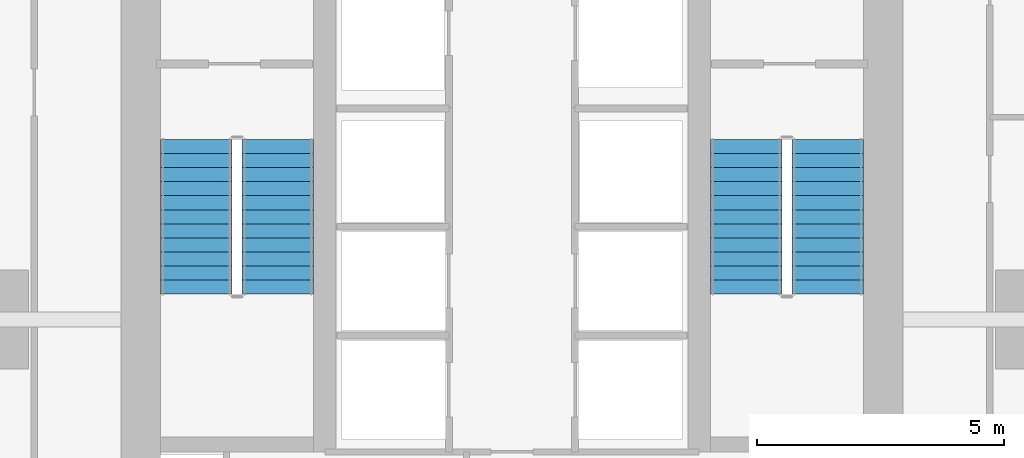
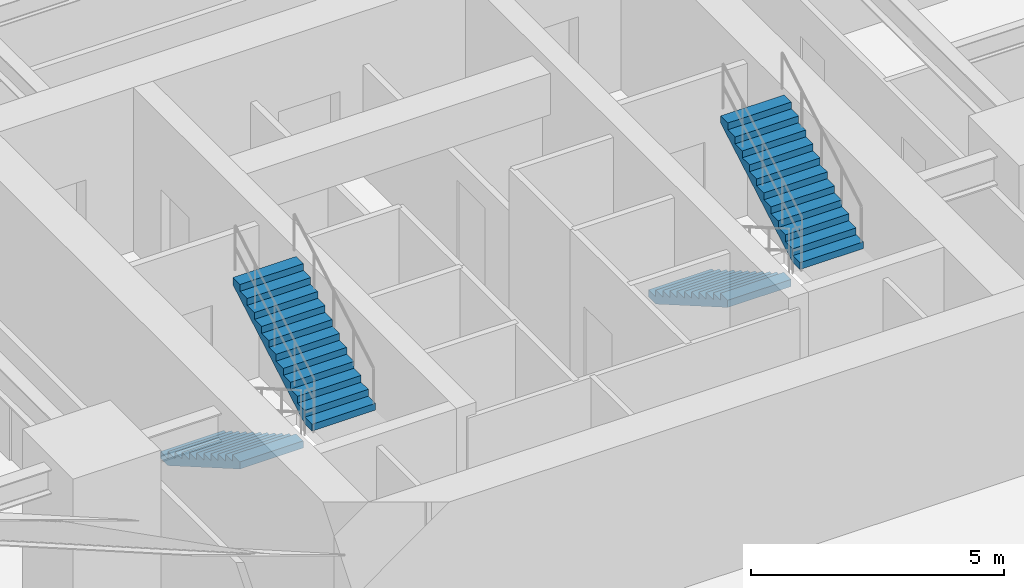
# One storey, part 24 of 26: 4 stair flights, 2 elements without a shape of their own.
"""IFC4 building model written with IfcOpenShell, lengths in metres."""

from ifc_helpers import new_model, si_unit, direction, frame, origin, place, context, subcontext, project, spatial, polyline, outline, extrude, material, type_object, element, aggregate, save


model = new_model("IFC4")

# Units and contexts
model_context = context("Model", 3, precision=1e-05, world=origin(), true_north=direction((0.0, 1.0)))
body_context = subcontext(model_context, "Body", "Model", "MODEL_VIEW")
ifc_project = project(units=[si_unit("LENGTHUNIT", "METRE"), si_unit("AREAUNIT", "SQUARE_METRE"), si_unit("VOLUMEUNIT", "CUBIC_METRE"), si_unit("PLANEANGLEUNIT", "RADIAN"), si_unit("MASSUNIT", "GRAM", prefix="KILO")], contexts=[model_context])

# Site, building, storey
site_placement = place(None, origin())
site = spatial("IfcSite", under=ifc_project, at=site_placement, CompositionType="ELEMENT")
building_placement = place(site_placement, origin())
building = spatial("IfcBuilding", under=site, at=building_placement, Name="Krantzveldt Concourse Tower", CompositionType="ELEMENT")
storey_placement = place(building_placement, frame((0.0, 0.0, 133.5)))
storey = spatial("IfcBuildingStorey", under=building, at=storey_placement, Name="L32", CompositionType="ELEMENT", Elevation=133.5)

# Stair, stair flights
ifc_material = material(Name="Precast concrete C40/50", Category="concrete")
stair_type = type_object("IfcStairType", Name="STR-CORE-DOGLEG", PredefinedType="HALF_TURN_STAIR", material=ifc_material)
stair_1_placement = place(storey_placement, origin())
stair_1 = element("IfcStair", 1, at=stair_1_placement, inside=storey, type_object=stair_type, Name="L32 Protected Escape Stair ST-1", PredefinedType="HALF_TURN_STAIR")
stair_flight_type = type_object("IfcStairFlightType", Name="STF-CORE-1450", PredefinedType="STRAIGHT", material=ifc_material)
stair_flight_1_placement = place(storey_placement, frame((29.60498046875, 19.550048828125, 0.0), z_axis=(0.0, 0.0, 1.0), x_axis=(0.0, -1.0, 0.0)))
stair_flight_1 = element("IfcStairFlight", 2, at=stair_flight_1_placement, type_object=stair_flight_type, Name="ST-1 flight 1", NumberOfRisers=12, NumberOfTreads=11, PredefinedType="STRAIGHT", RiserHeight=0.164583333, TreadLength=0.285, context=body_context, shape_type="SweptSolid", body=[
    extrude(outline(polyline([(0.0, 0.0), (0.0, 0.16455078125), (0.284912109375, 0.16455078125), (0.284912109375, 0.3291015625), (0.570068359375, 0.3291015625), (0.570068359375, 0.49365234375), (0.85498046875, 0.49365234375), (0.85498046875, 0.658447265625), (1.139892578125, 0.658447265625), (1.139892578125, 0.822998046875), (1.425048828125, 0.822998046875), (1.425048828125, 0.987548828125), (1.7099609375, 0.987548828125), (1.7099609375, 1.152099609375), (1.9951171875, 1.152099609375), (1.9951171875, 1.316650390625), (2.280029296875, 1.316650390625), (2.280029296875, 1.481201171875), (2.56494140625, 1.481201171875), (2.56494140625, 1.645751953125), (2.85009765625, 1.645751953125), (2.85009765625, 1.810302734375), (3.135009765625, 1.810302734375), (3.135009765625, 1.97509765625), (3.135009765625, 1.63720703125), (0.2998046875, 0.0), (0.0, 0.0)])), frame((0.0, 0.72509765625, 0.0), z_axis=(0.0, -1.0, 0.0), x_axis=(1.0, 0.0, 0.0)), (0.0, 0.0, 1.0), 1.449951171875),
])
stair_flight_2_placement = place(storey_placement, frame((31.2548828125, 16.4150390625, 1.97509765625), z_axis=(0.0, 0.0, 1.0), x_axis=(0.0, 1.0, 0.0)))
stair_flight_2 = element("IfcStairFlight", 3, at=stair_flight_2_placement, type_object=stair_flight_type, Name="ST-1 flight 2", NumberOfRisers=12, NumberOfTreads=11, PredefinedType="STRAIGHT", RiserHeight=0.164583333, TreadLength=0.285, context=body_context, shape_type="SweptSolid", body=[
    extrude(outline(polyline([(0.0, 0.0), (0.0, 0.16455078125), (0.284912109375, 0.16455078125), (0.284912109375, 0.3291015625), (0.570068359375, 0.3291015625), (0.570068359375, 0.49365234375), (0.85498046875, 0.49365234375), (0.85498046875, 0.658447265625), (1.139892578125, 0.658447265625), (1.139892578125, 0.822998046875), (1.425048828125, 0.822998046875), (1.425048828125, 0.987548828125), (1.7099609375, 0.987548828125), (1.7099609375, 1.152099609375), (1.9951171875, 1.152099609375), (1.9951171875, 1.316650390625), (2.280029296875, 1.316650390625), (2.280029296875, 1.481201171875), (2.56494140625, 1.481201171875), (2.56494140625, 1.645751953125), (2.85009765625, 1.645751953125), (2.85009765625, 1.810302734375), (3.135009765625, 1.810302734375), (3.135009765625, 1.97509765625), (3.135009765625, 1.63720703125), (0.2998046875, 0.0), (0.0, 0.0)])), frame((0.0, 0.72509765625, 0.0), z_axis=(0.0, -1.0, 0.0), x_axis=(1.0, 0.0, 0.0)), (0.0, 0.0, 1.0), 1.449951171875),
])
aggregate(stair_1, [stair_flight_1, stair_flight_2])

stair_2_placement = place(storey_placement, origin())
stair_2 = element("IfcStair", 4, at=stair_2_placement, inside=storey, type_object=stair_type, Name="L32 Protected Escape Stair ST-2", PredefinedType="HALF_TURN_STAIR")
stair_flight_3_placement = place(storey_placement, frame((40.7451171875, 19.550048828125, 0.0), z_axis=(0.0, 0.0, 1.0), x_axis=(0.0, -1.0, 0.0)))
stair_flight_3 = element("IfcStairFlight", 5, at=stair_flight_3_placement, type_object=stair_flight_type, Name="ST-2 flight 1", NumberOfRisers=12, NumberOfTreads=11, PredefinedType="STRAIGHT", RiserHeight=0.164583333, TreadLength=0.285, context=body_context, shape_type="SweptSolid", body=[
    extrude(outline(polyline([(0.0, 0.0), (0.0, 0.16455078125), (0.284912109375, 0.16455078125), (0.284912109375, 0.3291015625), (0.570068359375, 0.3291015625), (0.570068359375, 0.49365234375), (0.85498046875, 0.49365234375), (0.85498046875, 0.658447265625), (1.139892578125, 0.658447265625), (1.139892578125, 0.822998046875), (1.425048828125, 0.822998046875), (1.425048828125, 0.987548828125), (1.7099609375, 0.987548828125), (1.7099609375, 1.152099609375), (1.9951171875, 1.152099609375), (1.9951171875, 1.316650390625), (2.280029296875, 1.316650390625), (2.280029296875, 1.481201171875), (2.56494140625, 1.481201171875), (2.56494140625, 1.645751953125), (2.85009765625, 1.645751953125), (2.85009765625, 1.810302734375), (3.135009765625, 1.810302734375), (3.135009765625, 1.97509765625), (3.135009765625, 1.63720703125), (0.2998046875, 0.0), (0.0, 0.0)])), frame((0.0, 0.72509765625, 0.0), z_axis=(0.0, -1.0, 0.0), x_axis=(1.0, 0.0, 0.0)), (0.0, 0.0, 1.0), 1.449951171875),
])
stair_flight_4_placement = place(storey_placement, frame((42.39501953125, 16.4150390625, 1.97509765625), z_axis=(0.0, 0.0, 1.0), x_axis=(0.0, 1.0, 0.0)))
stair_flight_4 = element("IfcStairFlight", 6, at=stair_flight_4_placement, type_object=stair_flight_type, Name="ST-2 flight 2", NumberOfRisers=12, NumberOfTreads=11, PredefinedType="STRAIGHT", RiserHeight=0.164583333, TreadLength=0.285, context=body_context, shape_type="SweptSolid", body=[
    extrude(outline(polyline([(0.0, 0.0), (0.0, 0.16455078125), (0.284912109375, 0.16455078125), (0.284912109375, 0.3291015625), (0.570068359375, 0.3291015625), (0.570068359375, 0.49365234375), (0.85498046875, 0.49365234375), (0.85498046875, 0.658447265625), (1.139892578125, 0.658447265625), (1.139892578125, 0.822998046875), (1.425048828125, 0.822998046875), (1.425048828125, 0.987548828125), (1.7099609375, 0.987548828125), (1.7099609375, 1.152099609375), (1.9951171875, 1.152099609375), (1.9951171875, 1.316650390625), (2.280029296875, 1.316650390625), (2.280029296875, 1.481201171875), (2.56494140625, 1.481201171875), (2.56494140625, 1.645751953125), (2.85009765625, 1.645751953125), (2.85009765625, 1.810302734375), (3.135009765625, 1.810302734375), (3.135009765625, 1.97509765625), (3.135009765625, 1.63720703125), (0.2998046875, 0.0), (0.0, 0.0)])), frame((0.0, 0.72509765625, 0.0), z_axis=(0.0, -1.0, 0.0), x_axis=(1.0, 0.0, 0.0)), (0.0, 0.0, 1.0), 1.449951171875),
])
aggregate(stair_2, [stair_flight_3, stair_flight_4])

save(model, "model.ifc")
